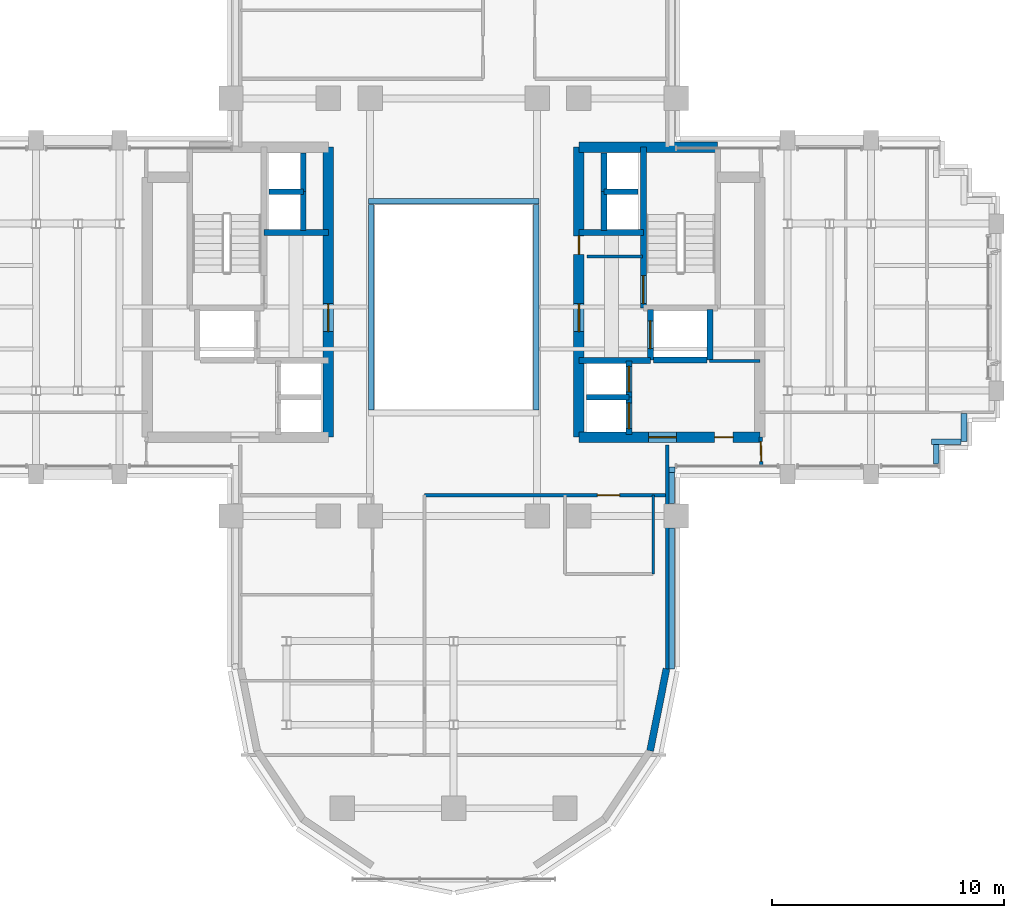
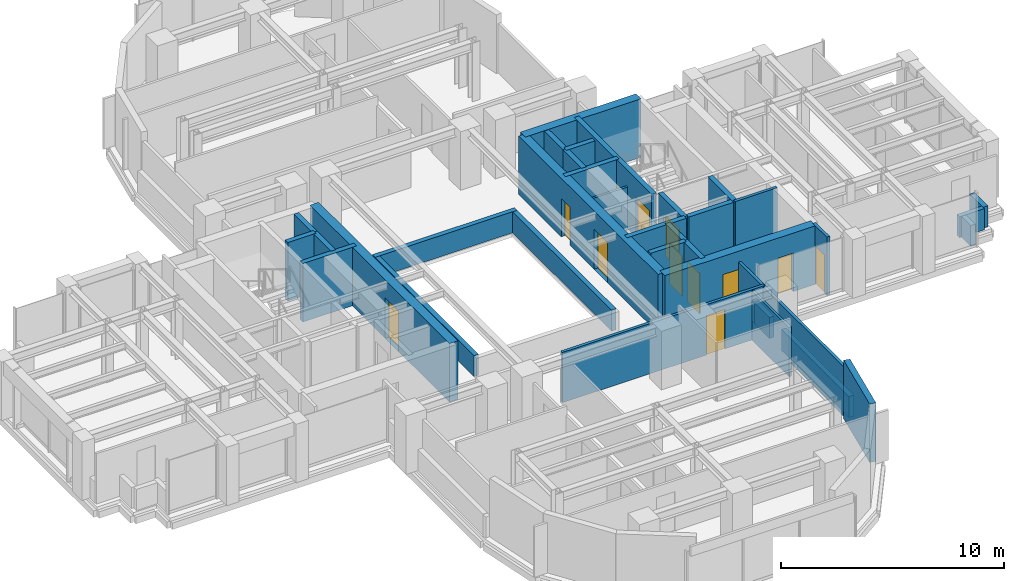
# One storey, part 9 of 14: 36 walls, 11 doors, 11 openings.
"""IFC4 building model written with IfcOpenShell, lengths in metres."""

import ifcopenshell
import ifcopenshell.guid

model = None  # the IFC model being written
_history = None  # IfcOwnerHistory: only IFC2X3 demands one
_inside = {}  # id of a spatial element -> (the spatial element, [elements in it])
_under = {}  # id of a project, library or spatial element -> (it, [spatial elements below it])
_declared = {}  # id of a project -> (the project, [libraries it declares])
_typed = {}  # id of a type object -> (the type object, [elements of that type])
_made_of = {}  # id of a material, layer set ... -> (it, [elements and type objects made of it])


def new_model(schema):
    """Start an empty IFC model of exactly this schema.

    Asked for "IFC4X3", IfcOpenShell would pick the latest addendum, in which some entities
    have other attributes; the version numbers below select the first issue.
    IFC2X3 requires an IfcOwnerHistory on every rooted entity: one is made here for all.
    """
    global model, _history
    if schema == "IFC4X3":
        model = ifcopenshell.file(schema_version=(4, 3, 0, 0))
    else:
        model = ifcopenshell.file(schema=schema)
    _inside.clear()
    _under.clear()
    _declared.clear()
    _typed.clear()
    _made_of.clear()
    _history = None
    if model.schema == "IFC2X3":
        org = make("IfcOrganization", Name="unknown")
        user = make(
            "IfcPersonAndOrganization",
            ThePerson=make("IfcPerson", FamilyName="unknown"),
            TheOrganization=org,
        )
        app = make(
            "IfcApplication",
            ApplicationDeveloper=org,
            Version="unknown",
            ApplicationFullName="unknown",
            ApplicationIdentifier="unknown",
        )
        _history = make(
            "IfcOwnerHistory",
            OwningUser=user,
            OwningApplication=app,
            ChangeAction="ADDED",
            CreationDate=0,
        )
    return model


def make(cls, **values):
    """One entity of the class cls with the attributes given. An attribute that is None is left unset."""
    return model.create_entity(
        cls, **{name: value for name, value in values.items() if value is not None}
    )


def rooted(cls, **values):
    """An entity with a GlobalId (a new one), such as an element, a storey or a relation."""
    return make(cls, GlobalId=ifcopenshell.guid.new(), OwnerHistory=_history, **values)


def si_unit(unit_type, name, prefix=None):
    """IfcSIUnit, for example si_unit("LENGTHUNIT", "METRE", prefix="MILLI")."""
    return make("IfcSIUnit", UnitType=unit_type, Prefix=prefix, Name=name)


def assignment(units):
    """IfcUnitAssignment: the units of a project."""
    return None if units is None else make("IfcUnitAssignment", Units=units)


def point(xyz):
    """IfcCartesianPoint."""
    return None if xyz is None else make("IfcCartesianPoint", Coordinates=xyz)


def direction(xyz):
    """IfcDirection."""
    return None if xyz is None else make("IfcDirection", DirectionRatios=xyz)


def frame(location, z_axis=None, x_axis=None):
    """IfcAxis2Placement3D, a coordinate frame: its origin and axes. An axis left out is left unset."""
    return make(
        "IfcAxis2Placement3D",
        Location=point(location),
        Axis=direction(z_axis),
        RefDirection=direction(x_axis),
    )


def frame_2d(location, x_axis=None):
    """IfcAxis2Placement2D, a coordinate frame in the plane: its origin and x axis."""
    return make(
        "IfcAxis2Placement2D", Location=point(location), RefDirection=direction(x_axis)
    )


def origin():
    """The frame at (0, 0, 0) with its axes left unset."""
    return frame((0.0, 0.0, 0.0))


def place(relative_to, where):
    """IfcLocalPlacement: puts the frame where relative to a parent placement (None: the world)."""
    return make(
        "IfcLocalPlacement", PlacementRelTo=relative_to, RelativePlacement=where
    )


def context(
    kind, dimensions, precision=None, world=None, true_north=None, identifier=None
):
    """IfcGeometricRepresentationContext, for example the 3D "Model" context."""
    return make(
        "IfcGeometricRepresentationContext",
        ContextIdentifier=identifier,
        ContextType=kind,
        CoordinateSpaceDimension=dimensions,
        Precision=precision,
        WorldCoordinateSystem=world,
        TrueNorth=true_north,
    )


def subcontext(parent, identifier, kind, view, scale=None):
    """IfcGeometricRepresentationSubContext, for example "Body" below "Model"."""
    return make(
        "IfcGeometricRepresentationSubContext",
        ContextIdentifier=identifier,
        ContextType=kind,
        ParentContext=parent,
        TargetScale=scale,
        TargetView=view,
    )


def project(units=None, contexts=None):
    """IfcProject with its units and contexts."""
    return rooted(
        "IfcProject",
        Name="project",
        RepresentationContexts=contexts,
        UnitsInContext=assignment(units),
    )


def spatial(cls, under=None, at=None, **own):
    """A site, building, storey or space (cls), placed at a placement, below another one or the project."""
    s = rooted(cls, ObjectPlacement=at, **own)
    if under is not None:
        _under.setdefault(under.id(), (under, []))[1].append(s)
    return s


def profile(cls, at=None, kind="AREA", **sizes):
    """A parametric profile (cls). Its sizes go by their IFC names, for example OverallWidth=200.0."""
    return make(cls, ProfileType=kind, Position=at, **sizes)


def rectangle(**sizes):
    """IfcRectangleProfileDef."""
    return profile("IfcRectangleProfileDef", **sizes)


def extrude(swept, where, along, depth):
    """IfcExtrudedAreaSolid: the profile swept, set in the frame where, extruded along a direction by depth."""
    return make(
        "IfcExtrudedAreaSolid",
        SweptArea=swept,
        Position=where,
        ExtrudedDirection=direction(along),
        Depth=depth,
    )


def shape(context_of_items, identifier, shape_type, items):
    """IfcShapeRepresentation: the items that make up one representation, for example the "Body"."""
    return make(
        "IfcShapeRepresentation",
        ContextOfItems=context_of_items,
        RepresentationIdentifier=identifier,
        RepresentationType=shape_type,
        Items=items,
    )


def source(mapping_origin, context_of_items, identifier, shape_type, items):
    """IfcRepresentationMap: a shape defined once, which mapped items show again and again."""
    return make(
        "IfcRepresentationMap",
        MappingOrigin=mapping_origin,
        MappedRepresentation=shape(context_of_items, identifier, shape_type, items),
    )


def transform(
    local_origin,
    x_axis=None,
    y_axis=None,
    z_axis=None,
    scale=None,
    scale2=None,
    scale3=None,
    uniform=True,
):
    """IfcCartesianTransformationOperator3D, or its non-uniform kind. x_axis, y_axis, z_axis: its Axis1, 2, 3."""
    if uniform:
        return make(
            "IfcCartesianTransformationOperator3D",
            Axis1=direction(x_axis),
            Axis2=direction(y_axis),
            LocalOrigin=point(local_origin),
            Scale=scale,
            Axis3=direction(z_axis),
        )
    return make(
        "IfcCartesianTransformationOperator3DnonUniform",
        Axis1=direction(x_axis),
        Axis2=direction(y_axis),
        LocalOrigin=point(local_origin),
        Scale=scale,
        Axis3=direction(z_axis),
        Scale2=scale2,
        Scale3=scale3,
    )


def mapped(mapping_source, mapping_target):
    """IfcMappedItem: shows the shape of a source again, moved by a transform."""
    return make(
        "IfcMappedItem", MappingSource=mapping_source, MappingTarget=mapping_target
    )


def material(Name=None, Category=None):
    """IfcMaterial."""
    return make("IfcMaterial", Name=Name, Category=Category)


def layer(
    of_material, thickness, ventilated=None, Name=None, Category=None, Priority=None
):
    """IfcMaterialLayer: one layer of a wall or slab, of a material (None: an air gap)."""
    return make(
        "IfcMaterialLayer",
        Material=of_material,
        LayerThickness=thickness,
        IsVentilated=ventilated,
        Name=Name,
        Category=Category,
        Priority=Priority,
    )


def layer_set(layers, Name=None):
    """IfcMaterialLayerSet."""
    return make("IfcMaterialLayerSet", MaterialLayers=layers, LayerSetName=Name)


def made_of(thing, what):
    """Note that an element or type object is made of a material, layer set ...; save() writes the relation."""
    if what is not None:
        _made_of.setdefault(what.id(), (what, []))[1].append(thing)
    return thing


def type_object(cls, material=None, **own):
    """A type object (cls), such as IfcWallType, which elements share."""
    return made_of(rooted(cls, **own), material)


def element(
    cls,
    number,
    at=None,
    inside=None,
    cuts=None,
    type_object=None,
    material=None,
    context=None,
    identifier="Body",
    shape_type=None,
    held_by="IfcProductDefinitionShape",
    body=None,
    shapes=None,
    **own,
):
    """One element of the class cls, such as IfcWall. Its Tag is "e" and its number.

    at: its placement. inside: the storey or other place that contains it. cuts: it is an
    opening in that element (IfcRelVoidsElement). A single representation is given by context,
    identifier, shape_type and body (its items); several are given by shapes. held_by: the class
    of the entity that holds the representations. save() writes the other relations.
    """
    e = rooted(cls, Tag="e%d" % number, ObjectPlacement=at, **own)
    if body is not None:
        shapes = [shape(context, identifier, shape_type, body)]
    if shapes is not None:
        e.Representation = make(held_by, Representations=shapes)
    if inside is not None:
        _inside.setdefault(inside.id(), (inside, []))[1].append(e)
    if cuts is not None:
        rooted(
            "IfcRelVoidsElement", RelatingBuildingElement=cuts, RelatedOpeningElement=e
        )
    if type_object is not None:
        _typed.setdefault(type_object.id(), (type_object, []))[1].append(e)
    return made_of(e, material)


def fill(opening, filler):
    """IfcRelFillsElement: the door or window that sits in an opening."""
    return rooted(
        "IfcRelFillsElement",
        RelatingOpeningElement=opening,
        RelatedBuildingElement=filler,
    )


def aggregate(whole, parts):
    """IfcRelAggregates: a whole, such as a stair, and the parts it consists of."""
    return rooted("IfcRelAggregates", RelatingObject=whole, RelatedObjects=parts)


def save(model, path):
    """Write the relations noted so far, then the file.

    IfcRelAggregates (storeys below a building ...), IfcRelContainedInSpatialStructure (elements
    in a storey), IfcRelDefinesByType, IfcRelAssociatesMaterial and IfcRelDeclares: one each for
    every whole, place, type object, material and project.
    """
    for whole, parts in _under.values():
        aggregate(whole, parts)
    for where, things in _inside.values():
        rooted(
            "IfcRelContainedInSpatialStructure",
            RelatedElements=things,
            RelatingStructure=where,
        )
    for kind, things in _typed.values():
        rooted("IfcRelDefinesByType", RelatedObjects=things, RelatingType=kind)
    for what, things in _made_of.values():
        rooted("IfcRelAssociatesMaterial", RelatedObjects=things, RelatingMaterial=what)
    for by, libraries in _declared.values():
        rooted("IfcRelDeclares", RelatingContext=by, RelatedDefinitions=libraries)
    model.write(path)


model = new_model("IFC4")

# Units and contexts
model_context = context("Model", 3, precision=1e-05, world=origin(), true_north=direction((0.0, 1.0)))
body_context = subcontext(model_context, "Body", "Model", "MODEL_VIEW")
ifc_project = project(units=[si_unit("LENGTHUNIT", "METRE"), si_unit("AREAUNIT", "SQUARE_METRE"), si_unit("VOLUMEUNIT", "CUBIC_METRE"), si_unit("PLANEANGLEUNIT", "RADIAN"), si_unit("MASSUNIT", "GRAM", prefix="KILO")], contexts=[model_context])

# Site, building, storey
site_placement = place(None, origin())
site = spatial("IfcSite", under=ifc_project, at=site_placement, CompositionType="ELEMENT")
building_placement = place(site_placement, origin())
building = spatial("IfcBuilding", under=site, at=building_placement, Name="Keilestroom Media Tower", CompositionType="ELEMENT")
storey_placement = place(building_placement, frame((0.0, 0.0, 134.60009765625)))
storey = spatial("IfcBuildingStorey", under=building, at=storey_placement, Name="L36", CompositionType="ELEMENT", Elevation=134.60009765625)

# Walls
ifc_material_1 = material(Name="Precast concrete C40/50", Category="concrete")
ifc_layer_1 = layer(ifc_material_1, 0.300048828125)
ifc_layer_set_1 = layer_set([ifc_layer_1], Name="Precast concrete C40/50")
wall_type_1 = type_object("IfcWallType", Name="Exterior-Masonry-Spandrel-Wall-300", PredefinedType="SOLIDWALL", material=ifc_layer_set_1)
wall_1_placement = place(storey_placement, frame((8.470703125, -19.12451171875, 0.0), z_axis=(0.0, 0.0, 1.0), x_axis=(0.195114232679, 0.980780523974, 0.0)))
element("IfcWall", 1, at=wall_1_placement, inside=storey, type_object=wall_type_1, Name="L36 Lobe Facet Precast Frame Wall 12", PredefinedType="SOLIDWALL", context=body_context, shape_type="SweptSolid", body=[
    extrude(rectangle(XDim=3.608642578125, YDim=0.300048828125, at=frame_2d((1.80419921875, 0.0))), origin(), (0.0, 0.0, 1.0), 3.199951171875),
])
ifc_material_2 = material(Name="Gypsum Plasterboard & Steel Stud", Category="steel")
ifc_layer_2 = layer(ifc_material_2, 0.1201171875)
ifc_layer_set_2 = layer_set([ifc_layer_2], Name="Gypsum Plasterboard & Steel Stud")
wall_type_2 = type_object("IfcWallType", Name="Interior-Partition-Wall-120", PredefinedType="PARTITIONING", material=ifc_layer_set_2)
wall_2_placement = place(storey_placement, frame((5.75, 2.179931640625, 0.0), z_axis=(0.0, 0.0, 1.0), x_axis=(1.0, 0.0, 0.0)))
element("IfcWall", 2, at=wall_2_placement, inside=storey, type_object=wall_type_2, Name="L36 Interior Wall WP-L36-CIE-S", PredefinedType="PARTITIONING", context=body_context, shape_type="SweptSolid", body=[
    extrude(rectangle(XDim=2.389892578125, YDim=0.1201171875, at=frame_2d((1.19482421875, 0.0))), origin(), (0.0, 0.0, 1.0), 2.2998046875),
])
wall_3_placement = place(storey_placement, frame((8.60009765625, -11.5, 0.0), z_axis=(0.0, 0.0, 1.0), x_axis=(0.0, 1.0, 0.0)))
element("IfcWall", 3, at=wall_3_placement, inside=storey, type_object=wall_type_2, Name="L36 Interior Wall WP-L36-SL-WC-E", PredefinedType="PARTITIONING", context=body_context, shape_type="SweptSolid", body=[
    extrude(rectangle(XDim=3.39990234375, YDim=0.1201171875, at=frame_2d((1.699951171875, 0.0))), origin(), (0.0, 0.0, 1.0), 2.699951171875),
])
ifc_layer_3 = layer(ifc_material_2, 0.14990234375)
ifc_layer_set_3 = layer_set([ifc_layer_3], Name="Gypsum Plasterboard & Steel Stud")
wall_type_3 = type_object("IfcWallType", Name="Interior-Partition-Wall-150", PredefinedType="PARTITIONING", material=ifc_layer_set_3)
wall_4_placement = place(storey_placement, frame((11.02001953125, -2.320068359375, 0.0), z_axis=(0.0, 0.0, 1.0), x_axis=(1.0, 0.0, 0.0)))
element("IfcWall", 4, at=wall_4_placement, inside=storey, type_object=wall_type_3, Name="L36 Interior Wall WP-L36-RECLE-N", PredefinedType="PARTITIONING", context=body_context, shape_type="SweptSolid", body=[
    extrude(rectangle(XDim=2.179931640625, YDim=0.14990234375, at=frame_2d((1.08984375, 0.0))), origin(), (0.0, 0.0, 1.0), 3.199951171875),
])
wall_5_placement = place(storey_placement, frame((9.199951171875, -15.679931640625, 0.0), z_axis=(0.0, 0.0, 1.0), x_axis=(0.0, 1.0, 0.0)))
element("IfcWall", 5, at=wall_5_placement, inside=storey, type_object=wall_type_3, Name="L36 Interior Wall WP-L36-SL-CHKE", PredefinedType="PARTITIONING", context=body_context, shape_type="SweptSolid", body=[
    extrude(rectangle(XDim=9.739990234375, YDim=0.14990234375, at=frame_2d((4.8701171875, 0.0))), origin(), (0.0, 0.0, 1.0), 2.699951171875),
])

# Wall, opening, door
wall_6_placement = place(storey_placement, frame((-1.260009765625, -8.10009765625, 0.0), z_axis=(0.0, 0.0, 1.0), x_axis=(1.0, 0.0, 0.0)))
wall_6 = element("IfcWall", 6, at=wall_6_placement, inside=storey, type_object=wall_type_3, Name="L36 Interior Wall WP-L36-SL-BASE-E", PredefinedType="PARTITIONING", context=body_context, shape_type="SweptSolid", body=[
    extrude(rectangle(XDim=10.4599609375, YDim=0.14990234375, at=frame_2d((5.22998046875, 0.0))), origin(), (0.0, 0.0, 1.0), 2.75),
])
opening_1_placement = place(wall_6_placement, frame((7.4599609375, 0.0, 0.0)))
opening_1 = element("IfcOpeningElement", 7, at=opening_1_placement, cuts=wall_6, Name="Opening DI-03", PredefinedType="OPENING", context=body_context, shape_type="SweptSolid", body=[
    extrude(rectangle(XDim=0.949951171875, YDim=2.14990234375, at=frame_2d((0.47509765625, 1.074951171875))), frame((0.0, 0.0849609375, 0.0), z_axis=(0.0, -1.0, 0.0), x_axis=(1.0, 0.0, 0.0)), (0.0, 0.0, 1.0), 0.169921875),
])
ifc_material_3 = material(Name="Lacquered European Oak Leaf", Category="wood")
door_type_1 = type_object("IfcDoorType", Name="Interior-Room-And-Suite-Door-DI-03", OperationType="NOTDEFINED", PredefinedType="DOOR", material=ifc_material_3)
shared_shape_1 = source(origin(), body_context, "Body", "SweptSolid", [
    extrude(rectangle(XDim=0.949951171875, YDim=2.14990234375, at=frame_2d((0.47509765625, 1.074951171875))), frame((0.0, 0.02490234375, 0.0), z_axis=(0.0, -1.0, 0.0), x_axis=(1.0, 0.0, 0.0)), (0.0, 0.0, 1.0), 0.050048828125),
])
door_1_placement = place(opening_1_placement, origin())
door_1 = element("IfcDoor", 8, at=door_1_placement, inside=storey, type_object=door_type_1, Name="L36 Interior Door DI-L36-DSL-WC", OperationType="SINGLE_SWING_LEFT", OverallHeight=2.14990234375, OverallWidth=0.949951171875, PredefinedType="DOOR", context=body_context, shape_type="MappedRepresentation", body=[
    mapped(shared_shape_1, transform((0.0, 0.0, 0.0), x_axis=(1.0, 0.0, 0.0), y_axis=(0.0, 1.0, 0.0), z_axis=(0.0, 0.0, 1.0), scale=1.0)),
])
fill(opening_1, door_1)

wall_7_placement = place(storey_placement, frame((13.260009765625, -6.85009765625, 0.0), z_axis=(0.0, 0.0, 1.0), x_axis=(-0.016013571389, 0.999871774545, 0.0)))
wall_7 = element("IfcWall", 9, at=wall_7_placement, inside=storey, type_object=wall_type_3, Name="L36 Interior Wall WP-L36-EA-ENTS", PredefinedType="PARTITIONING", context=body_context, shape_type="SweptSolid", body=[
    extrude(rectangle(XDim=1.250244140625, YDim=0.14990234375, at=frame_2d((0.625, 0.0))), origin(), (0.0, 0.0, 1.0), 3.199951171875),
])
opening_2_placement = place(wall_7_placement, frame((0.199951171875, 0.0, 0.0)))
opening_2 = element("IfcOpeningElement", 10, at=opening_2_placement, cuts=wall_7, Name="Opening DI-05", PredefinedType="OPENING", context=body_context, shape_type="SweptSolid", body=[
    extrude(rectangle(XDim=0.85009765625, YDim=2.10009765625, at=frame_2d((0.425048828125, 1.050048828125))), frame((0.0, 0.0849609375, 0.0), z_axis=(0.0, -1.0, 0.0), x_axis=(1.0, 0.0, 0.0)), (0.0, 0.0, 1.0), 0.169921875),
])
ifc_material_4 = material(Name="Moisture-Resistant Oak Leaf", Category="wood")
door_type_2 = type_object("IfcDoorType", Name="Interior-En-Suite-And-Cupboard-Door-DI-05", OperationType="NOTDEFINED", PredefinedType="DOOR", material=ifc_material_4)
shared_shape_2 = source(origin(), body_context, "Body", "SweptSolid", [
    extrude(rectangle(XDim=0.85009765625, YDim=2.10009765625, at=frame_2d((0.425048828125, 1.050048828125))), frame((0.0, 0.02490234375, 0.0), z_axis=(0.0, -1.0, 0.0), x_axis=(1.0, 0.0, 0.0)), (0.0, 0.0, 1.0), 0.050048828125),
])
door_2_placement = place(opening_2_placement, origin())
door_2 = element("IfcDoor", 11, at=door_2_placement, inside=storey, type_object=door_type_2, Name="L36 Interior Door DI-L36-DEA-ENTS", OperationType="SINGLE_SWING_RIGHT", OverallHeight=2.10009765625, OverallWidth=0.85009765625, PredefinedType="DOOR", context=body_context, shape_type="MappedRepresentation", body=[
    mapped(shared_shape_2, transform((0.0, 0.0, 0.0), x_axis=(1.0, 0.0, 0.0), y_axis=(0.0, 1.0, 0.0), z_axis=(0.0, 0.0, 1.0), scale=1.0)),
])
fill(opening_2, door_2)

ifc_material_5 = material(Name="Concrete C55/67", Category="concrete")
ifc_layer_4 = layer(ifc_material_5, 0.449951171875)
ifc_layer_set_4 = layer_set([ifc_layer_4], Name="Concrete C55/67")
wall_type_4 = type_object("IfcWallType", Name="Reinforced-Concrete-Core-Shear-Wall-450", PredefinedType="SHEAR", material=ifc_layer_set_4)
wall_8_placement = place(storey_placement, frame((-5.39990234375, -5.60009765625, 0.0), z_axis=(0.0, 0.0, 1.0), x_axis=(0.0, 1.0, 0.0)))
wall_8 = element("IfcWall", 12, at=wall_8_placement, inside=storey, type_object=wall_type_4, Name="L36 Core Shear Wall WL-L36-CORE-W-IN", PredefinedType="SHEAR", context=body_context, shape_type="SweptSolid", body=[
    extrude(rectangle(XDim=12.5, YDim=0.449951171875, at=frame_2d((6.25, 0.0))), origin(), (0.0, 0.0, 1.0), 3.199951171875),
])
opening_3_placement = place(wall_8_placement, frame((4.550048828125, 0.0, 0.0)))
opening_3 = element("IfcOpeningElement", 13, at=opening_3_placement, cuts=wall_8, Name="Opening DI-02", PredefinedType="OPENING", context=body_context, shape_type="SweptSolid", body=[
    extrude(rectangle(XDim=1.199951171875, YDim=2.199951171875, at=frame_2d((0.60009765625, 1.10009765625))), frame((0.0, 0.23486328125, 0.0), z_axis=(0.0, -1.0, 0.0), x_axis=(1.0, 0.0, 0.0)), (0.0, 0.0, 1.0), 0.469970703125),
])
ifc_material_6 = material(Name="Powder-Coated Steel Fire Leaf", Category="steel")
door_type_3 = type_object("IfcDoorType", Name="Interior-Compartment-Fire-Door-DI-02", OperationType="NOTDEFINED", PredefinedType="DOOR", material=ifc_material_6)
shared_shape_3 = source(origin(), body_context, "Body", "SweptSolid", [
    extrude(rectangle(XDim=1.199951171875, YDim=2.199951171875, at=frame_2d((0.60009765625, 1.10009765625))), frame((0.0, 0.02490234375, 0.0), z_axis=(0.0, -1.0, 0.0), x_axis=(1.0, 0.0, 0.0)), (0.0, 0.0, 1.0), 0.050048828125),
])
door_3_placement = place(opening_3_placement, origin())
door_3 = element("IfcDoor", 14, at=door_3_placement, inside=storey, type_object=door_type_3, Name="L36 W Firefighting Lobby Door", OperationType="SINGLE_SWING_RIGHT", OverallHeight=2.199951171875, OverallWidth=1.199951171875, PredefinedType="DOOR", context=body_context, shape_type="MappedRepresentation", body=[
    mapped(shared_shape_3, transform((0.0, 0.0, 0.0), x_axis=(1.0, 0.0, 0.0), y_axis=(0.0, 1.0, 0.0), z_axis=(0.0, 0.0, 1.0), scale=1.0)),
])
fill(opening_3, door_3)

# Wall, openings, doors
wall_9_placement = place(storey_placement, frame((5.39990234375, -5.60009765625, 0.0), z_axis=(0.0, 0.0, 1.0), x_axis=(0.0, 1.0, 0.0)))
wall_9 = element("IfcWall", 15, at=wall_9_placement, inside=storey, type_object=wall_type_4, Name="L36 Core Shear Wall WL-L36-CORE-E-IN", PredefinedType="SHEAR", context=body_context, shape_type="SweptSolid", body=[
    extrude(rectangle(XDim=12.5, YDim=0.449951171875, at=frame_2d((6.25, 0.0))), origin(), (0.0, 0.0, 1.0), 3.199951171875),
])
opening_4_placement = place(wall_9_placement, frame((4.550048828125, 0.0, 0.0)))
opening_4 = element("IfcOpeningElement", 16, at=opening_4_placement, cuts=wall_9, Name="Opening DI-02", PredefinedType="OPENING", context=body_context, shape_type="SweptSolid", body=[
    extrude(rectangle(XDim=1.199951171875, YDim=2.199951171875, at=frame_2d((0.60009765625, 1.10009765625))), frame((0.0, 0.23486328125, 0.0), z_axis=(0.0, -1.0, 0.0), x_axis=(1.0, 0.0, 0.0)), (0.0, 0.0, 1.0), 0.469970703125),
])
opening_5_placement = place(wall_9_placement, frame((7.8798828125, 0.0, 0.0)))
opening_5 = element("IfcOpeningElement", 17, at=opening_5_placement, cuts=wall_9, Name="Opening DI-06", PredefinedType="OPENING", context=body_context, shape_type="SweptSolid", body=[
    extrude(rectangle(XDim=0.800048828125, YDim=2.10009765625, at=frame_2d((0.39990234375, 1.050048828125))), frame((0.0, 0.23486328125, 0.0), z_axis=(0.0, -1.0, 0.0), x_axis=(1.0, 0.0, 0.0)), (0.0, 0.0, 1.0), 0.469970703125),
])
door_4_placement = place(opening_4_placement, origin())
door_4 = element("IfcDoor", 18, at=door_4_placement, inside=storey, type_object=door_type_3, Name="L36 E Firefighting Lobby Door", OperationType="SINGLE_SWING_LEFT", OverallHeight=2.199951171875, OverallWidth=1.199951171875, PredefinedType="DOOR", context=body_context, shape_type="MappedRepresentation", body=[
    mapped(shared_shape_3, transform((0.0, 0.0, 0.0), x_axis=(1.0, 0.0, 0.0), y_axis=(0.0, 1.0, 0.0), z_axis=(0.0, 0.0, 1.0), scale=1.0)),
])
fill(opening_4, door_4)
ifc_material_7 = material(Name="Powder-Coated Steel Service Leaf", Category="steel")
door_type_4 = type_object("IfcDoorType", Name="Interior-Riser-Access-Door-DI-06", OperationType="NOTDEFINED", PredefinedType="DOOR", material=ifc_material_7)
shared_shape_4 = source(origin(), body_context, "Body", "SweptSolid", [
    extrude(rectangle(XDim=0.800048828125, YDim=2.10009765625, at=frame_2d((0.39990234375, 1.050048828125))), frame((0.0, 0.02490234375, 0.0), z_axis=(0.0, -1.0, 0.0), x_axis=(1.0, 0.0, 0.0)), (0.0, 0.0, 1.0), 0.050048828125),
])
door_5_placement = place(opening_5_placement, origin())
door_5 = element("IfcDoor", 19, at=door_5_placement, inside=storey, type_object=door_type_4, Name="L36 East Core Closet Door", OperationType="SINGLE_SWING_RIGHT", OverallHeight=2.10009765625, OverallWidth=0.800048828125, PredefinedType="DOOR", context=body_context, shape_type="MappedRepresentation", body=[
    mapped(shared_shape_4, transform((0.0, 0.0, 0.0), x_axis=(1.0, 0.0, 0.0), y_axis=(0.0, 1.0, 0.0), z_axis=(0.0, 0.0, 1.0), scale=1.0)),
])
fill(opening_5, door_5)

# Wall
wall_10_placement = place(storey_placement, frame((5.39990234375, 6.89990234375, 0.0), z_axis=(0.0, 0.0, 1.0), x_axis=(1.0, 0.0, 0.0)))
element("IfcWall", 20, at=wall_10_placement, inside=storey, type_object=wall_type_4, Name="L36 Core Shear Wall WL-L36-CORE-E-N", PredefinedType="SHEAR", context=body_context, shape_type="SweptSolid", body=[
    extrude(rectangle(XDim=5.981201171875, YDim=0.449951171875, at=frame_2d((2.99072265625, 0.0))), origin(), (0.0, 0.0, 1.0), 3.199951171875),
])

# Wall, openings, doors
wall_11_placement = place(storey_placement, frame((5.39990234375, -5.60009765625, 0.0), z_axis=(0.0, 0.0, 1.0), x_axis=(1.0, 0.0, 0.0)))
wall_11 = element("IfcWall", 21, at=wall_11_placement, inside=storey, type_object=wall_type_4, Name="L36 Core Shear Wall WL-L36-CORE-E-S", PredefinedType="SHEAR", context=body_context, shape_type="SweptSolid", body=[
    extrude(rectangle(XDim=7.800048828125, YDim=0.449951171875, at=frame_2d((3.89990234375, 0.0))), origin(), (0.0, 0.0, 1.0), 3.199951171875),
])
opening_6_placement = place(wall_11_placement, frame((3.0, 0.0, 0.0)))
opening_6 = element("IfcOpeningElement", 22, at=opening_6_placement, cuts=wall_11, Name="Opening DI-02", PredefinedType="OPENING", context=body_context, shape_type="SweptSolid", body=[
    extrude(rectangle(XDim=1.199951171875, YDim=2.199951171875, at=frame_2d((0.60009765625, 1.10009765625))), frame((0.0, 0.23486328125, 0.0), z_axis=(0.0, -1.0, 0.0), x_axis=(1.0, 0.0, 0.0)), (0.0, 0.0, 1.0), 0.469970703125),
])
opening_7_placement = place(wall_11_placement, frame((5.85009765625, 0.0, 0.0)))
opening_7 = element("IfcOpeningElement", 23, at=opening_7_placement, cuts=wall_11, Name="Opening DI-06", PredefinedType="OPENING", context=body_context, shape_type="SweptSolid", body=[
    extrude(rectangle(XDim=0.800048828125, YDim=2.10009765625, at=frame_2d((0.39990234375, 1.050048828125))), frame((0.0, 0.23486328125, 0.0), z_axis=(0.0, -1.0, 0.0), x_axis=(1.0, 0.0, 0.0)), (0.0, 0.0, 1.0), 0.469970703125),
])
door_6_placement = place(opening_6_placement, origin())
door_6 = element("IfcDoor", 24, at=door_6_placement, inside=storey, type_object=door_type_3, Name="L36 E Passenger Lift Lobby Door", OperationType="SINGLE_SWING_RIGHT", OverallHeight=2.199951171875, OverallWidth=1.199951171875, PredefinedType="DOOR", context=body_context, shape_type="MappedRepresentation", body=[
    mapped(shared_shape_3, transform((0.0, 0.0, 0.0), x_axis=(1.0, 0.0, 0.0), y_axis=(0.0, 1.0, 0.0), z_axis=(0.0, 0.0, 1.0), scale=1.0)),
])
fill(opening_6, door_6)
door_7_placement = place(opening_7_placement, origin())
door_7 = element("IfcDoor", 25, at=door_7_placement, inside=storey, type_object=door_type_4, Name="L36 Reclaimed East Core Room Door", OperationType="SINGLE_SWING_RIGHT", OverallHeight=2.10009765625, OverallWidth=0.800048828125, PredefinedType="DOOR", context=body_context, shape_type="MappedRepresentation", body=[
    mapped(shared_shape_4, transform((0.0, 0.0, 0.0), x_axis=(1.0, 0.0, 0.0), y_axis=(0.0, 1.0, 0.0), z_axis=(0.0, 0.0, 1.0), scale=1.0)),
])
fill(opening_7, door_7)

# Walls
ifc_material_8 = material(Name="Concrete C50/60", Category="concrete")
ifc_layer_5 = layer(ifc_material_8, 0.25)
ifc_layer_set_5 = layer_set([ifc_layer_5], Name="Concrete C50/60")
wall_type_5 = type_object("IfcWallType", Name="Reinforced-Concrete-Shaft-Wall-250", PredefinedType="SOLIDWALL", material=ifc_layer_set_5)
for number, where, z_axis, x_axis, name in (
    (26, (-8.179931640625, 3.219970703125, 0.0), (0.0, 0.0, 1.0), (1.0, 0.0, 0.0), "L36 Core Shear Wall WL-L36-CORE-W-FFN"),
    (27, (5.39990234375, 3.219970703125, 0.0), (0.0, 0.0, 1.0), (1.0, 0.0, 0.0), "L36 Core Shear Wall WL-L36-CORE-E-FFN"),
):
    element("IfcWall", number, at=place(storey_placement, frame(where, z_axis=z_axis, x_axis=x_axis)), inside=storey, type_object=wall_type_5, Name=name, PredefinedType="SOLIDWALL", context=body_context, shape_type="SweptSolid", body=[
        extrude(rectangle(XDim=2.780029296875, YDim=0.25, at=frame_2d((1.39013671875, 0.0))), origin(), (0.0, 0.0, 1.0), 3.199951171875),
    ])
wall_12_placement = place(storey_placement, frame((5.39990234375, -2.300048828125, 0.0), z_axis=(0.0, 0.0, 1.0), x_axis=(1.0, 0.0, 0.0)))
element("IfcWall", 28, at=wall_12_placement, inside=storey, type_object=wall_type_5, Name="L36 Core Shear Wall WL-L36-CORE-E-FFS", PredefinedType="SOLIDWALL", context=body_context, shape_type="SweptSolid", body=[
    extrude(rectangle(XDim=3.080078125, YDim=0.25, at=frame_2d((1.5400390625, 0.0))), origin(), (0.0, 0.0, 1.0), 3.199951171875),
])

# Wall, opening, door
wall_13_placement = place(storey_placement, frame((8.178955078125, -0.041015625, 0.0), z_axis=(0.0, 0.0, 1.0), x_axis=(0.0, 1.0, 0.0)))
wall_13 = element("IfcWall", 29, at=wall_13_placement, inside=storey, type_object=wall_type_5, Name="L36 Core Shear Wall WL-L36-STW-E-NEAR", PredefinedType="SOLIDWALL", context=body_context, shape_type="SweptSolid", body=[
    extrude(rectangle(XDim=6.94091796875, YDim=0.25, at=frame_2d((3.470458984375, 0.0))), origin(), (0.0, 0.0, 1.0), 3.199951171875),
])
opening_8_placement = place(wall_13_placement, frame((0.199951171875, 0.0, 0.0)))
opening_8 = element("IfcOpeningElement", 30, at=opening_8_placement, cuts=wall_13, Name="Opening DI-01S", PredefinedType="OPENING", context=body_context, shape_type="SweptSolid", body=[
    extrude(rectangle(XDim=1.199951171875, YDim=2.199951171875, at=frame_2d((0.60009765625, 1.10009765625))), frame((0.0, 0.135009765625, 0.0), z_axis=(0.0, -1.0, 0.0), x_axis=(1.0, 0.0, 0.0)), (0.0, 0.0, 1.0), 0.27001953125),
])
door_type_5 = type_object("IfcDoorType", Name="Interior-Stair-And-Core-Fire-Door-DI-01", OperationType="NOTDEFINED", PredefinedType="DOOR", material=ifc_material_6)
door_8_placement = place(opening_8_placement, origin())
door_8 = element("IfcDoor", 31, at=door_8_placement, inside=storey, type_object=door_type_5, Name="L36 Escape Stair ST-2 Fire Door", OperationType="SINGLE_SWING_RIGHT", OverallHeight=2.199951171875, OverallWidth=1.199951171875, PredefinedType="DOOR", context=body_context, shape_type="MappedRepresentation", body=[
    mapped(shared_shape_3, transform((0.0, 0.0, 0.0), x_axis=(1.0, 0.0, 0.0), y_axis=(0.0, 1.0, 0.0), z_axis=(0.0, 0.0, 1.0), scale=1.0)),
])
fill(opening_8, door_8)

wall_14_placement = place(storey_placement, frame((8.47998046875, -2.280029296875, 0.0), z_axis=(0.0, 0.0, 1.0), x_axis=(0.0, 1.0, 0.0)))
wall_14 = element("IfcWall", 32, at=wall_14_placement, inside=storey, type_object=wall_type_5, Name="L36 Core Shear Wall WL-L36-LSH-FFL-2-W", PredefinedType="SOLIDWALL", context=body_context, shape_type="SweptSolid", body=[
    extrude(rectangle(XDim=2.179931640625, YDim=0.25, at=frame_2d((1.08984375, 0.0))), origin(), (0.0, 0.0, 1.0), 3.199951171875),
])
opening_9_placement = place(wall_14_placement, frame((0.489990234375, 0.0, 0.0)))
opening_9 = element("IfcOpeningElement", 33, at=opening_9_placement, cuts=wall_14, Name="Opening LD-02", PredefinedType="OPENING", context=body_context, shape_type="SweptSolid", body=[
    extrude(rectangle(XDim=1.199951171875, YDim=2.199951171875, at=frame_2d((0.60009765625, 1.10009765625))), frame((0.0, 0.135009765625, 0.0), z_axis=(0.0, -1.0, 0.0), x_axis=(1.0, 0.0, 0.0)), (0.0, 0.0, 1.0), 0.27001953125),
])
ifc_material_9 = material(Name="Brushed Stainless Steel Sliding Leaf", Category="steel")
door_type_6 = type_object("IfcDoorType", Name="Lift-Landing-Sliding-Door-LD-02", OperationType="SLIDING_TO_RIGHT", PredefinedType="DOOR", material=ifc_material_9)
door_9_placement = place(opening_9_placement, origin())
door_9 = element("IfcDoor", 34, at=door_9_placement, inside=storey, type_object=door_type_6, Name="L36 Lift FFL-2 Landing Sliding Door", OperationType="SLIDING_TO_RIGHT", OverallHeight=2.199951171875, OverallWidth=1.199951171875, PredefinedType="DOOR", context=body_context, shape_type="MappedRepresentation", body=[
    mapped(shared_shape_3, transform((0.0, 0.0, 0.0), x_axis=(1.0, 0.0, 0.0), y_axis=(0.0, 1.0, 0.0), z_axis=(0.0, 0.0, 1.0), scale=1.0)),
])
fill(opening_9, door_9)

# Walls
wall_15_placement = place(storey_placement, frame((11.050048828125, -2.280029296875, 0.0), z_axis=(0.0, 0.0, 1.0), x_axis=(0.0, 1.0, 0.0)))
element("IfcWall", 35, at=wall_15_placement, inside=storey, type_object=wall_type_5, Name="L36 Core Shear Wall WL-L36-LSH-FFL-2-E", PredefinedType="SOLIDWALL", context=body_context, shape_type="SweptSolid", body=[
    extrude(rectangle(XDim=2.179931640625, YDim=0.25, at=frame_2d((1.08984375, 0.0))), origin(), (0.0, 0.0, 1.0), 3.199951171875),
])
wall_16_placement = place(storey_placement, frame((8.60888671875, -2.280029296875, 0.0), z_axis=(0.0, 0.0, 1.0), x_axis=(1.0, 0.0, 0.0)))
element("IfcWall", 36, at=wall_16_placement, inside=storey, type_object=wall_type_5, Name="L36 Core Shear Wall WL-L36-LSH-FFL-2-S", PredefinedType="SOLIDWALL", context=body_context, shape_type="SweptSolid", body=[
    extrude(rectangle(XDim=2.31201171875, YDim=0.25, at=frame_2d((1.156005859375, 0.0))), origin(), (0.0, 0.0, 1.0), 3.199951171875),
])

# Wall, opening, door
wall_17_placement = place(storey_placement, frame((7.56005859375, -5.47998046875, 0.0), z_axis=(0.0, 0.0, 1.0), x_axis=(0.0, 1.0, 0.0)))
wall_17 = element("IfcWall", 37, at=wall_17_placement, inside=storey, type_object=wall_type_5, Name="L36 Core Shear Wall WL-L36-LSH-PL-M3-E", PredefinedType="SOLIDWALL", context=body_context, shape_type="SweptSolid", body=[
    extrude(rectangle(XDim=1.60009765625, YDim=0.25, at=frame_2d((0.800048828125, 0.0))), origin(), (0.0, 0.0, 1.0), 3.199951171875),
])
opening_10_placement = place(wall_17_placement, frame((0.25, 0.0, 0.0)))
opening_10 = element("IfcOpeningElement", 38, at=opening_10_placement, cuts=wall_17, Name="Opening LD-01", PredefinedType="OPENING", context=body_context, shape_type="SweptSolid", body=[
    extrude(rectangle(XDim=1.10009765625, YDim=2.199951171875, at=frame_2d((0.550048828125, 1.10009765625))), frame((0.0, 0.135009765625, 0.0), z_axis=(0.0, -1.0, 0.0), x_axis=(1.0, 0.0, 0.0)), (0.0, 0.0, 1.0), 0.27001953125),
])
door_type_7 = type_object("IfcDoorType", Name="Lift-Landing-Sliding-Door-LD-01", OperationType="SLIDING_TO_LEFT", PredefinedType="DOOR", material=ifc_material_9)
shared_shape_5 = source(origin(), body_context, "Body", "SweptSolid", [
    extrude(rectangle(XDim=1.10009765625, YDim=2.199951171875, at=frame_2d((0.550048828125, 1.10009765625))), frame((0.0, 0.02490234375, 0.0), z_axis=(0.0, -1.0, 0.0), x_axis=(1.0, 0.0, 0.0)), (0.0, 0.0, 1.0), 0.050048828125),
])
door_10_placement = place(opening_10_placement, origin())
door_10 = element("IfcDoor", 39, at=door_10_placement, inside=storey, type_object=door_type_7, Name="L36 Lift PL-M3 Landing Sliding Door", OperationType="SLIDING_TO_LEFT", OverallHeight=2.199951171875, OverallWidth=1.10009765625, PredefinedType="DOOR", context=body_context, shape_type="MappedRepresentation", body=[
    mapped(shared_shape_5, transform((0.0, 0.0, 0.0), x_axis=(1.0, 0.0, 0.0), y_axis=(0.0, 1.0, 0.0), z_axis=(0.0, 0.0, 1.0), scale=1.0)),
])
fill(opening_10, door_10)

# Wall
wall_18_placement = place(storey_placement, frame((5.719970703125, -3.8798828125, 0.0), z_axis=(0.0, 0.0, 1.0), x_axis=(1.0, 0.0, 0.0)))
element("IfcWall", 40, at=wall_18_placement, inside=storey, type_object=wall_type_5, Name="L36 Core Shear Wall WL-L36-LSH-PL-M3-N", PredefinedType="SOLIDWALL", context=body_context, shape_type="SweptSolid", body=[
    extrude(rectangle(XDim=1.840087890625, YDim=0.25, at=frame_2d((0.919921875, 0.0))), origin(), (0.0, 0.0, 1.0), 3.199951171875),
])

# Wall, opening, door
wall_19_placement = place(storey_placement, frame((7.56005859375, -3.8798828125, 0.0), z_axis=(0.0, 0.0, 1.0), x_axis=(0.0, 1.0, 0.0)))
wall_19 = element("IfcWall", 41, at=wall_19_placement, inside=storey, type_object=wall_type_5, Name="L36 Core Shear Wall WL-L36-LSH-PL-M4-E", PredefinedType="SOLIDWALL", context=body_context, shape_type="SweptSolid", body=[
    extrude(rectangle(XDim=1.559814453125, YDim=0.25, at=frame_2d((0.77978515625, 0.0))), origin(), (0.0, 0.0, 1.0), 3.199951171875),
])
opening_11_placement = place(wall_19_placement, frame((0.22998046875, 0.0, 0.0)))
opening_11 = element("IfcOpeningElement", 42, at=opening_11_placement, cuts=wall_19, Name="Opening LD-01", PredefinedType="OPENING", context=body_context, shape_type="SweptSolid", body=[
    extrude(rectangle(XDim=1.10009765625, YDim=2.199951171875, at=frame_2d((0.550048828125, 1.10009765625))), frame((0.0, 0.135009765625, 0.0), z_axis=(0.0, -1.0, 0.0), x_axis=(1.0, 0.0, 0.0)), (0.0, 0.0, 1.0), 0.27001953125),
])
door_11_placement = place(opening_11_placement, origin())
door_11 = element("IfcDoor", 43, at=door_11_placement, inside=storey, type_object=door_type_7, Name="L36 Lift PL-M4 Landing Sliding Door", OperationType="SLIDING_TO_LEFT", OverallHeight=2.199951171875, OverallWidth=1.10009765625, PredefinedType="DOOR", context=body_context, shape_type="MappedRepresentation", body=[
    mapped(shared_shape_5, transform((0.0, 0.0, 0.0), x_axis=(1.0, 0.0, 0.0), y_axis=(0.0, 1.0, 0.0), z_axis=(0.0, 0.0, 1.0), scale=1.0)),
])
fill(opening_11, door_11)

# Walls
wall_20_placement = place(storey_placement, frame((-6.47998046875, 3.300048828125, 0.0), z_axis=(0.0, 0.0, 1.0), x_axis=(0.0, 1.0, 0.0)))
element("IfcWall", 44, at=wall_20_placement, inside=storey, type_object=wall_type_5, Name="L36 Core Shear Wall WL-L36-LSH-PL-H1-E", PredefinedType="SOLIDWALL", context=body_context, shape_type="SweptSolid", body=[
    extrude(rectangle(XDim=1.679931640625, YDim=0.25, at=frame_2d((0.83984375, 0.0))), origin(), (0.0, 0.0, 1.0), 3.199951171875),
])
wall_21_placement = place(storey_placement, frame((-7.949951171875, 4.97998046875, 0.0), z_axis=(0.0, 0.0, 1.0), x_axis=(1.0, 0.0, 0.0)))
element("IfcWall", 45, at=wall_21_placement, inside=storey, type_object=wall_type_5, Name="L36 Core Shear Wall WL-L36-LSH-PL-H1-N", PredefinedType="SOLIDWALL", context=body_context, shape_type="SweptSolid", body=[
    extrude(rectangle(XDim=1.469970703125, YDim=0.25, at=frame_2d((0.73486328125, 0.0))), origin(), (0.0, 0.0, 1.0), 3.199951171875),
])
wall_22_placement = place(storey_placement, frame((-6.47998046875, 4.97998046875, 0.0), z_axis=(0.0, 0.0, 1.0), x_axis=(0.0, 1.0, 0.0)))
element("IfcWall", 46, at=wall_22_placement, inside=storey, type_object=wall_type_5, Name="L36 Core Shear Wall WL-L36-LSH-PL-H2-E", PredefinedType="SOLIDWALL", context=body_context, shape_type="SweptSolid", body=[
    extrude(rectangle(XDim=1.669921875, YDim=0.25, at=frame_2d((0.8349609375, 0.0))), origin(), (0.0, 0.0, 1.0), 3.199951171875),
])
wall_23_placement = place(storey_placement, frame((6.47998046875, 3.300048828125, 0.0), z_axis=(0.0, 0.0, 1.0), x_axis=(0.0, 1.0, 0.0)))
element("IfcWall", 47, at=wall_23_placement, inside=storey, type_object=wall_type_5, Name="L36 Core Shear Wall WL-L36-LSH-PL-H3-W", PredefinedType="SOLIDWALL", context=body_context, shape_type="SweptSolid", body=[
    extrude(rectangle(XDim=1.679931640625, YDim=0.25, at=frame_2d((0.83984375, 0.0))), origin(), (0.0, 0.0, 1.0), 3.199951171875),
])
wall_24_placement = place(storey_placement, frame((6.47998046875, 4.97998046875, 0.0), z_axis=(0.0, 0.0, 1.0), x_axis=(1.0, 0.0, 0.0)))
element("IfcWall", 48, at=wall_24_placement, inside=storey, type_object=wall_type_5, Name="L36 Core Shear Wall WL-L36-LSH-PL-H3-N", PredefinedType="SOLIDWALL", context=body_context, shape_type="SweptSolid", body=[
    extrude(rectangle(XDim=1.469970703125, YDim=0.25, at=frame_2d((0.73486328125, 0.0))), origin(), (0.0, 0.0, 1.0), 3.199951171875),
])
wall_25_placement = place(storey_placement, frame((6.47998046875, 4.97998046875, 0.0), z_axis=(0.0, 0.0, 1.0), x_axis=(0.0, 1.0, 0.0)))
element("IfcWall", 49, at=wall_25_placement, inside=storey, type_object=wall_type_5, Name="L36 Core Shear Wall WL-L36-LSH-PL-H4-W", PredefinedType="SOLIDWALL", context=body_context, shape_type="SweptSolid", body=[
    extrude(rectangle(XDim=1.669921875, YDim=0.25, at=frame_2d((0.8349609375, 0.0))), origin(), (0.0, 0.0, 1.0), 3.199951171875),
])
ifc_layer_6 = layer(ifc_material_1, 0.239990234375)
ifc_layer_set_6 = layer_set([ifc_layer_6], Name="Precast concrete C40/50")
wall_type_6 = type_object("IfcWallType", Name="Roof-And-Terrace-Parapet-Wall-240", PredefinedType="PARAPET", material=ifc_layer_set_6)
wall_26_placement = place(storey_placement, frame((22.0, -4.593017578125, 0.0), z_axis=(0.0, 0.0, 1.0), x_axis=(0.0, -1.0, 0.0)))
element("IfcWall", 50, at=wall_26_placement, inside=storey, type_object=wall_type_6, Name="L36 Perimeter Edge Parapet Wall 01", PredefinedType="PARAPET", context=body_context, shape_type="SweptSolid", body=[
    extrude(rectangle(XDim=1.20703125, YDim=0.239990234375, at=frame_2d((0.603515625, 0.0))), origin(), (0.0, 0.0, 1.0), 1.14990234375),
])
wall_27_placement = place(storey_placement, frame((21.876953125, -5.800048828125, 0.0), z_axis=(0.0, 0.0, 1.0), x_axis=(-1.0, 0.0, 0.0)))
element("IfcWall", 51, at=wall_27_placement, inside=storey, type_object=wall_type_6, Name="L36 Perimeter Edge Parapet Wall 02", PredefinedType="PARAPET", context=body_context, shape_type="SweptSolid", body=[
    extrude(rectangle(XDim=1.27685546875, YDim=0.239990234375, at=frame_2d((0.638427734375, 0.0))), origin(), (0.0, 0.0, 1.0), 1.14990234375),
])
wall_28_placement = place(storey_placement, frame((20.800048828125, -5.923095703125, 0.0), z_axis=(0.0, 0.0, 1.0), x_axis=(0.0, -1.0, 0.0)))
element("IfcWall", 52, at=wall_28_placement, inside=storey, type_object=wall_type_6, Name="L36 Perimeter Edge Parapet Wall 03", PredefinedType="PARAPET", context=body_context, shape_type="SweptSolid", body=[
    extrude(rectangle(XDim=0.833984375, YDim=0.239990234375, at=frame_2d((0.4169921875, 0.0))), origin(), (0.0, 0.0, 1.0), 1.14990234375),
])
wall_29_placement = place(storey_placement, frame((9.547119140625, -7.0, 0.0), z_axis=(0.0, 0.0, 1.0), x_axis=(-1.0, 0.0, 0.0)))
element("IfcWall", 53, at=wall_29_placement, inside=storey, type_object=wall_type_6, Name="L36 Perimeter Edge Parapet Wall 04", PredefinedType="PARAPET", context=body_context, shape_type="SweptSolid", body=[
    extrude(rectangle(XDim=0.26904296875, YDim=0.239990234375, at=frame_2d((0.134521484375, 0.0))), origin(), (0.0, 0.0, 1.0), 1.14990234375),
])
wall_30_placement = place(storey_placement, frame((9.39990234375, -7.123046875, 0.0), z_axis=(0.0, 0.0, 1.0), x_axis=(0.0, -1.0, 0.0)))
element("IfcWall", 54, at=wall_30_placement, inside=storey, type_object=wall_type_6, Name="L36 Perimeter Edge Parapet Wall 05", PredefinedType="PARAPET", context=body_context, shape_type="SweptSolid", body=[
    extrude(rectangle(XDim=1.348876953125, YDim=0.239990234375, at=frame_2d((0.67431640625, 0.0))), origin(), (0.0, 0.0, 1.0), 1.14990234375),
])
wall_31_placement = place(storey_placement, frame((9.39990234375, -9.528076171875, 0.0), z_axis=(0.0, 0.0, 1.0), x_axis=(0.0, -1.0, 0.0)))
element("IfcWall", 55, at=wall_31_placement, inside=storey, type_object=wall_type_6, Name="L36 Perimeter Edge Parapet Wall 06", PredefinedType="PARAPET", context=body_context, shape_type="SweptSolid", body=[
    extrude(rectangle(XDim=6.07470703125, YDim=0.239990234375, at=frame_2d((3.037353515625, 0.0))), origin(), (0.0, 0.0, 1.0), 1.14990234375),
])
wall_32_placement = place(storey_placement, frame((-3.679931640625, 4.56005859375, 0.0), z_axis=(0.0, 0.0, 1.0), x_axis=(1.0, 0.0, 0.0)))
element("IfcWall", 56, at=wall_32_placement, inside=storey, type_object=wall_type_6, Name="L36 Central Atrium Guard Parapet N", PredefinedType="PARAPET", context=body_context, shape_type="SweptSolid", body=[
    extrude(rectangle(XDim=7.35986328125, YDim=0.239990234375, at=frame_2d((3.679931640625, 0.0))), origin(), (0.0, 0.0, 1.0), 1.14990234375),
])
for number, where, z_axis, x_axis, name in (
    (57, (-3.56005859375, -4.43505859375, 0.0), (0.0, 0.0, 1.0), (0.0, 1.0, 0.0), "L36 Central Atrium Guard Parapet W"),
    (58, (3.56005859375, -4.43505859375, 0.0), (0.0, 0.0, 1.0), (0.0, 1.0, 0.0), "L36 Central Atrium Guard Parapet E"),
):
    element("IfcWall", number, at=place(storey_placement, frame(where, z_axis=z_axis, x_axis=x_axis)), inside=storey, type_object=wall_type_6, Name=name, PredefinedType="PARAPET", context=body_context, shape_type="SweptSolid", body=[
        extrude(rectangle(XDim=8.8701171875, YDim=0.239990234375, at=frame_2d((4.43505859375, 0.0))), origin(), (0.0, 0.0, 1.0), 1.14990234375),
    ])

save(model, "model.ifc")
